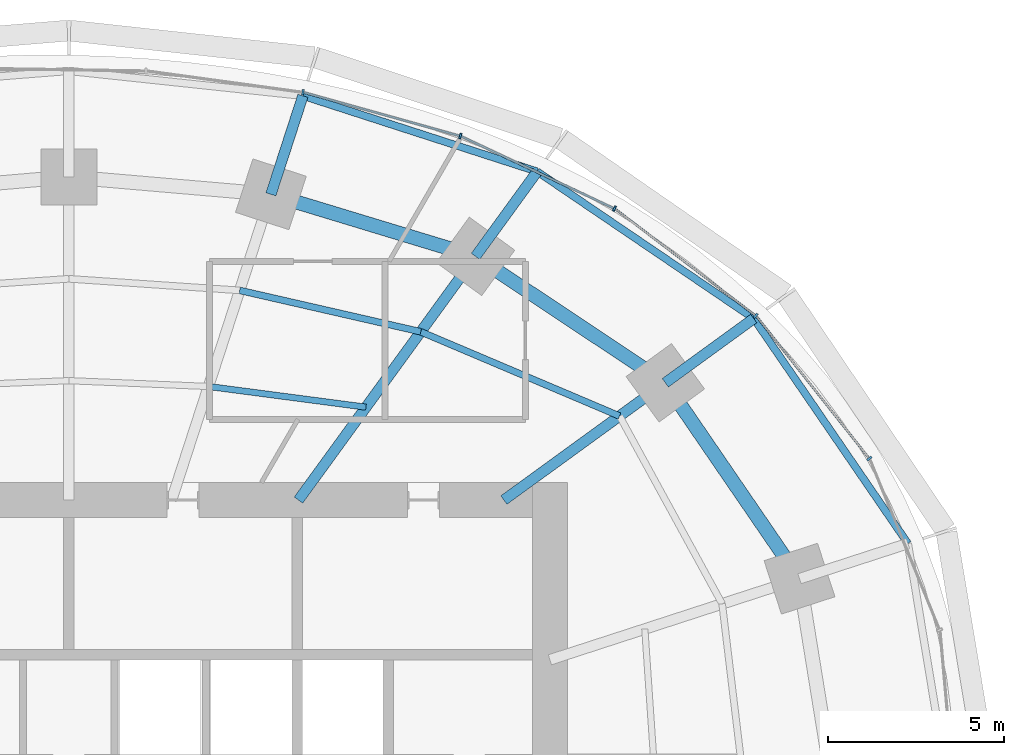
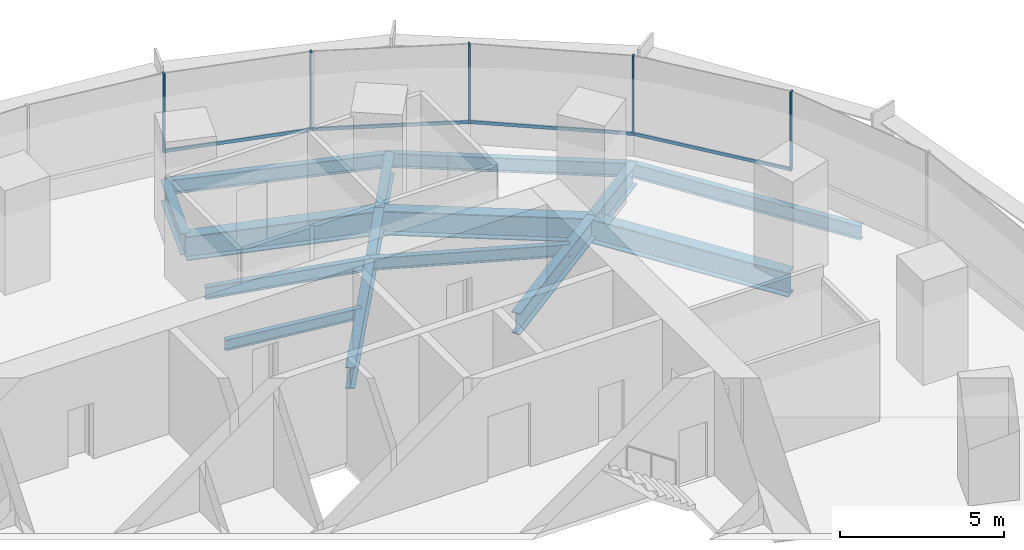
# One storey, part 8 of 14: 14 beams, 9 members, 2 elements without a shape of their own.
"""IFC4 building model written with IfcOpenShell, lengths in metres."""

import ifcopenshell
import ifcopenshell.guid

model = None  # the IFC model being written
_history = None  # IfcOwnerHistory: only IFC2X3 demands one
_inside = {}  # id of a spatial element -> (the spatial element, [elements in it])
_under = {}  # id of a project, library or spatial element -> (it, [spatial elements below it])
_declared = {}  # id of a project -> (the project, [libraries it declares])
_typed = {}  # id of a type object -> (the type object, [elements of that type])
_made_of = {}  # id of a material, layer set ... -> (it, [elements and type objects made of it])


def new_model(schema):
    """Start an empty IFC model of exactly this schema.

    Asked for "IFC4X3", IfcOpenShell would pick the latest addendum, in which some entities
    have other attributes; the version numbers below select the first issue.
    IFC2X3 requires an IfcOwnerHistory on every rooted entity: one is made here for all.
    """
    global model, _history
    if schema == "IFC4X3":
        model = ifcopenshell.file(schema_version=(4, 3, 0, 0))
    else:
        model = ifcopenshell.file(schema=schema)
    _inside.clear()
    _under.clear()
    _declared.clear()
    _typed.clear()
    _made_of.clear()
    _history = None
    if model.schema == "IFC2X3":
        org = make("IfcOrganization", Name="unknown")
        user = make(
            "IfcPersonAndOrganization",
            ThePerson=make("IfcPerson", FamilyName="unknown"),
            TheOrganization=org,
        )
        app = make(
            "IfcApplication",
            ApplicationDeveloper=org,
            Version="unknown",
            ApplicationFullName="unknown",
            ApplicationIdentifier="unknown",
        )
        _history = make(
            "IfcOwnerHistory",
            OwningUser=user,
            OwningApplication=app,
            ChangeAction="ADDED",
            CreationDate=0,
        )
    return model


def make(cls, **values):
    """One entity of the class cls with the attributes given. An attribute that is None is left unset."""
    return model.create_entity(
        cls, **{name: value for name, value in values.items() if value is not None}
    )


def rooted(cls, **values):
    """An entity with a GlobalId (a new one), such as an element, a storey or a relation."""
    return make(cls, GlobalId=ifcopenshell.guid.new(), OwnerHistory=_history, **values)


def si_unit(unit_type, name, prefix=None):
    """IfcSIUnit, for example si_unit("LENGTHUNIT", "METRE", prefix="MILLI")."""
    return make("IfcSIUnit", UnitType=unit_type, Prefix=prefix, Name=name)


def assignment(units):
    """IfcUnitAssignment: the units of a project."""
    return None if units is None else make("IfcUnitAssignment", Units=units)


def point(xyz):
    """IfcCartesianPoint."""
    return None if xyz is None else make("IfcCartesianPoint", Coordinates=xyz)


def direction(xyz):
    """IfcDirection."""
    return None if xyz is None else make("IfcDirection", DirectionRatios=xyz)


def frame(location, z_axis=None, x_axis=None):
    """IfcAxis2Placement3D, a coordinate frame: its origin and axes. An axis left out is left unset."""
    return make(
        "IfcAxis2Placement3D",
        Location=point(location),
        Axis=direction(z_axis),
        RefDirection=direction(x_axis),
    )


def frame_2d(location, x_axis=None):
    """IfcAxis2Placement2D, a coordinate frame in the plane: its origin and x axis."""
    return make(
        "IfcAxis2Placement2D", Location=point(location), RefDirection=direction(x_axis)
    )


def origin():
    """The frame at (0, 0, 0) with its axes left unset."""
    return frame((0.0, 0.0, 0.0))


def origin_2d():
    """The frame at (0, 0) in the plane with its x axis left unset."""
    return frame_2d((0.0, 0.0))


def place(relative_to, where):
    """IfcLocalPlacement: puts the frame where relative to a parent placement (None: the world)."""
    return make(
        "IfcLocalPlacement", PlacementRelTo=relative_to, RelativePlacement=where
    )


def context(
    kind, dimensions, precision=None, world=None, true_north=None, identifier=None
):
    """IfcGeometricRepresentationContext, for example the 3D "Model" context."""
    return make(
        "IfcGeometricRepresentationContext",
        ContextIdentifier=identifier,
        ContextType=kind,
        CoordinateSpaceDimension=dimensions,
        Precision=precision,
        WorldCoordinateSystem=world,
        TrueNorth=true_north,
    )


def subcontext(parent, identifier, kind, view, scale=None):
    """IfcGeometricRepresentationSubContext, for example "Body" below "Model"."""
    return make(
        "IfcGeometricRepresentationSubContext",
        ContextIdentifier=identifier,
        ContextType=kind,
        ParentContext=parent,
        TargetScale=scale,
        TargetView=view,
    )


def project(units=None, contexts=None):
    """IfcProject with its units and contexts."""
    return rooted(
        "IfcProject",
        Name="project",
        RepresentationContexts=contexts,
        UnitsInContext=assignment(units),
    )


def spatial(cls, under=None, at=None, **own):
    """A site, building, storey or space (cls), placed at a placement, below another one or the project."""
    s = rooted(cls, ObjectPlacement=at, **own)
    if under is not None:
        _under.setdefault(under.id(), (under, []))[1].append(s)
    return s


def profile(cls, at=None, kind="AREA", **sizes):
    """A parametric profile (cls). Its sizes go by their IFC names, for example OverallWidth=200.0."""
    return make(cls, ProfileType=kind, Position=at, **sizes)


def rectangle(**sizes):
    """IfcRectangleProfileDef."""
    return profile("IfcRectangleProfileDef", **sizes)


def i_section(**sizes):
    """IfcIShapeProfileDef."""
    return profile("IfcIShapeProfileDef", **sizes)


def extrude(swept, where, along, depth):
    """IfcExtrudedAreaSolid: the profile swept, set in the frame where, extruded along a direction by depth."""
    return make(
        "IfcExtrudedAreaSolid",
        SweptArea=swept,
        Position=where,
        ExtrudedDirection=direction(along),
        Depth=depth,
    )


def shape(context_of_items, identifier, shape_type, items):
    """IfcShapeRepresentation: the items that make up one representation, for example the "Body"."""
    return make(
        "IfcShapeRepresentation",
        ContextOfItems=context_of_items,
        RepresentationIdentifier=identifier,
        RepresentationType=shape_type,
        Items=items,
    )


def material(Name=None, Category=None):
    """IfcMaterial."""
    return make("IfcMaterial", Name=Name, Category=Category)


def material_profile(
    of_material, cross_section, Name=None, Category=None, Priority=None
):
    """IfcMaterialProfile: a cross section and its material."""
    return make(
        "IfcMaterialProfile",
        Name=Name,
        Material=of_material,
        Profile=cross_section,
        Priority=Priority,
        Category=Category,
    )


def profile_set(profiles, Name=None, composite=None):
    """IfcMaterialProfileSet."""
    return make(
        "IfcMaterialProfileSet",
        Name=Name,
        MaterialProfiles=profiles,
        CompositeProfile=composite,
    )


def made_of(thing, what):
    """Note that an element or type object is made of a material, layer set ...; save() writes the relation."""
    if what is not None:
        _made_of.setdefault(what.id(), (what, []))[1].append(thing)
    return thing


def type_object(cls, material=None, **own):
    """A type object (cls), such as IfcWallType, which elements share."""
    return made_of(rooted(cls, **own), material)


def element(
    cls,
    number,
    at=None,
    inside=None,
    cuts=None,
    type_object=None,
    material=None,
    context=None,
    identifier="Body",
    shape_type=None,
    held_by="IfcProductDefinitionShape",
    body=None,
    shapes=None,
    **own,
):
    """One element of the class cls, such as IfcWall. Its Tag is "e" and its number.

    at: its placement. inside: the storey or other place that contains it. cuts: it is an
    opening in that element (IfcRelVoidsElement). A single representation is given by context,
    identifier, shape_type and body (its items); several are given by shapes. held_by: the class
    of the entity that holds the representations. save() writes the other relations.
    """
    e = rooted(cls, Tag="e%d" % number, ObjectPlacement=at, **own)
    if body is not None:
        shapes = [shape(context, identifier, shape_type, body)]
    if shapes is not None:
        e.Representation = make(held_by, Representations=shapes)
    if inside is not None:
        _inside.setdefault(inside.id(), (inside, []))[1].append(e)
    if cuts is not None:
        rooted(
            "IfcRelVoidsElement", RelatingBuildingElement=cuts, RelatedOpeningElement=e
        )
    if type_object is not None:
        _typed.setdefault(type_object.id(), (type_object, []))[1].append(e)
    return made_of(e, material)


def aggregate(whole, parts):
    """IfcRelAggregates: a whole, such as a stair, and the parts it consists of."""
    return rooted("IfcRelAggregates", RelatingObject=whole, RelatedObjects=parts)


def save(model, path):
    """Write the relations noted so far, then the file.

    IfcRelAggregates (storeys below a building ...), IfcRelContainedInSpatialStructure (elements
    in a storey), IfcRelDefinesByType, IfcRelAssociatesMaterial and IfcRelDeclares: one each for
    every whole, place, type object, material and project.
    """
    for whole, parts in _under.values():
        aggregate(whole, parts)
    for where, things in _inside.values():
        rooted(
            "IfcRelContainedInSpatialStructure",
            RelatedElements=things,
            RelatingStructure=where,
        )
    for kind, things in _typed.values():
        rooted("IfcRelDefinesByType", RelatedObjects=things, RelatingType=kind)
    for what, things in _made_of.values():
        rooted("IfcRelAssociatesMaterial", RelatedObjects=things, RelatingMaterial=what)
    for by, libraries in _declared.values():
        rooted("IfcRelDeclares", RelatingContext=by, RelatedDefinitions=libraries)
    model.write(path)


model = new_model("IFC4")

# Units and contexts
model_context = context("Model", 3, precision=1e-05, world=origin(), true_north=direction((0.0, 1.0)))
body_context = subcontext(model_context, "Body", "Model", "MODEL_VIEW")
ifc_project = project(units=[si_unit("LENGTHUNIT", "METRE"), si_unit("AREAUNIT", "SQUARE_METRE"), si_unit("VOLUMEUNIT", "CUBIC_METRE"), si_unit("PLANEANGLEUNIT", "RADIAN"), si_unit("MASSUNIT", "GRAM", prefix="KILO")], contexts=[model_context])

# Site, building, storey
site_placement = place(None, origin())
site = spatial("IfcSite", under=ifc_project, at=site_placement, CompositionType="ELEMENT")
building_placement = place(site_placement, origin())
building = spatial("IfcBuilding", under=site, at=building_placement, Name="Marramba Exchange Tower", CompositionType="ELEMENT")
storey_placement = place(building_placement, frame((0.0, 0.0, 135.300048828125)))
storey = spatial("IfcBuildingStorey", under=building, at=storey_placement, Name="L32", CompositionType="ELEMENT", Elevation=135.300048828125)

# Beams
ifc_material_1 = material(Name="Steel AS/NZS 3679.2 grade 300", Category="steel")
ifc_material_profile_1 = material_profile(ifc_material_1, i_section(OverallWidth=0.300048828125, OverallDepth=0.800048828125, WebThickness=0.013916015625, FlangeThickness=0.031982421875, at=origin_2d()), Name="800WB192")
ifc_profile_set_1 = profile_set([ifc_material_profile_1], Name="Steel AS/NZS 3679.2 grade 300")
beam_type_1 = type_object("IfcBeamType", Name="Cantilever girder 800WB192", PredefinedType="BEAM", material=ifc_profile_set_1)
beam_1_placement = place(storey_placement, frame((16.98583984375, 12.3408203125, -0.56005859375), z_axis=(0.809013970709, 0.58778941399, 0.0), x_axis=(-0.58778941399, 0.809013970709, 0.0)))
element("IfcBeam", 1, at=beam_1_placement, inside=storey, type_object=beam_type_1, Name="Cantilever girder L32 TC03", PredefinedType="BEAM", context=body_context, shape_type="SweptSolid", body=[
    extrude(i_section(OverallWidth=0.300048828125, OverallDepth=0.800048828125, WebThickness=0.013916015625, FlangeThickness=0.031982421875, at=origin_2d()), origin(), (0.0, 0.0, 1.0), 3.1142578125),
])
beam_2_placement = place(storey_placement, frame((11.581298828125, 15.9404296875, -0.56005859375), z_axis=(0.587821738214, 0.808990484544, 0.0), x_axis=(-0.808990484544, 0.587821738214, 0.0)))
element("IfcBeam", 2, at=beam_2_placement, inside=storey, type_object=beam_type_1, Name="Cantilever girder L32 TC04", PredefinedType="BEAM", context=body_context, shape_type="SweptSolid", body=[
    extrude(i_section(OverallWidth=0.300048828125, OverallDepth=0.800048828125, WebThickness=0.013916015625, FlangeThickness=0.031982421875, at=origin_2d()), origin(), (0.0, 0.0, 1.0), 2.987060546875),
])
beam_3_placement = place(storey_placement, frame((5.75390625, 17.70849609375, -0.56005859375), z_axis=(0.309018704887, 0.951055960514, 0.0), x_axis=(-0.951055960514, 0.309018704887, 0.0)))
element("IfcBeam", 3, at=beam_3_placement, inside=storey, type_object=beam_type_1, Name="Cantilever girder L32 TC05", PredefinedType="BEAM", context=body_context, shape_type="SweptSolid", body=[
    extrude(i_section(OverallWidth=0.300048828125, OverallDepth=0.800048828125, WebThickness=0.013916015625, FlangeThickness=0.031982421875, at=origin_2d()), origin(), (0.0, 0.0, 1.0), 2.949951171875),
])
ifc_material_2 = material(Name="Steel AS/NZS 3679.1 grade 300", Category="steel")
ifc_material_profile_2 = material_profile(ifc_material_2, i_section(OverallWidth=0.177978515625, OverallDepth=0.406005859375, WebThickness=0.0078125, FlangeThickness=0.0126953125, FilletRadius=0.011474609375, at=origin_2d()), Name="410UB59.7")
ifc_profile_set_2 = profile_set([ifc_material_profile_2], Name="Steel AS/NZS 3679.1 grade 300")
beam_type_2 = type_object("IfcBeamType", Name="Floor joist 410UB59.7", PredefinedType="JOIST", material=ifc_profile_set_2)
beam_4_placement = place(storey_placement, frame((8.4619140625, 11.646728515625, -0.363037109375), z_axis=(-0.991480538255, 0.130254912618, 0.0), x_axis=(-0.130254912618, -0.991480538255, 0.0)))
element("IfcBeam", 4, at=beam_4_placement, inside=storey, type_object=beam_type_2, Name="Joist L32 bay 04 row 1", PredefinedType="JOIST", context=body_context, shape_type="SweptSolid", body=[
    extrude(i_section(OverallWidth=0.177978515625, OverallDepth=0.406005859375, WebThickness=0.0078125, FlangeThickness=0.0126953125, FilletRadius=0.011474609375, at=origin_2d()), origin(), (0.0, 0.0, 1.0), 4.524658203125),
])
ifc_material_profile_3 = material_profile(ifc_material_2, i_section(OverallWidth=0.18994140625, OverallDepth=0.4541015625, WebThickness=0.008544921875, FlangeThickness=0.0126953125, FilletRadius=0.011474609375, at=origin_2d()), Name="460UB67.1")
ifc_profile_set_3 = profile_set([ifc_material_profile_3], Name="Steel AS/NZS 3679.1 grade 300")
beam_type_3 = type_object("IfcBeamType", Name="Floor joist 460UB67.1", PredefinedType="JOIST", material=ifc_profile_set_3)
beam_5_placement = place(storey_placement, frame((15.682373046875, 11.393798828125, -0.386962890625), z_axis=(-0.920674336375, 0.390331610738, 0.0), x_axis=(-0.390331610738, -0.920674336375, 0.0)))
element("IfcBeam", 5, at=beam_5_placement, inside=storey, type_object=beam_type_3, Name="Joist L32 bay 03 row 2", PredefinedType="JOIST", context=body_context, shape_type="SweptSolid", body=[
    extrude(i_section(OverallWidth=0.18994140625, OverallDepth=0.4541015625, WebThickness=0.008544921875, FlangeThickness=0.0126953125, FilletRadius=0.011474609375, at=origin_2d()), origin(), (0.0, 0.0, 1.0), 6.1484375),
])
beam_6_placement = place(storey_placement, frame((10.021728515625, 13.793701171875, -0.386962890625), z_axis=(-0.974859652292, 0.222819788916, 0.0), x_axis=(-0.222819788916, -0.974859652292, 0.0)))
element("IfcBeam", 6, at=beam_6_placement, inside=storey, type_object=beam_type_3, Name="Joist L32 bay 04 row 2", PredefinedType="JOIST", context=body_context, shape_type="SweptSolid", body=[
    extrude(i_section(OverallWidth=0.18994140625, OverallDepth=0.4541015625, WebThickness=0.008544921875, FlangeThickness=0.0126953125, FilletRadius=0.011474609375, at=origin_2d()), origin(), (0.0, 0.0, 1.0), 5.2900390625),
])

# Curtain wall, members
ifc_material_3 = material(Name="Aluminium framing, bronze anodised", Category="aluminium")
curtain_wall_type = type_object("IfcCurtainWallType", Name="Office ribbon curtain wall", PredefinedType="USERDEFINED", material=ifc_material_3)
curtain_wall_1_placement = place(storey_placement, origin())
curtain_wall_1 = element("IfcCurtainWall", 7, at=curtain_wall_1_placement, inside=storey, type_object=curtain_wall_type, Name="Curtain wall CW4 L32 F01-F05", ObjectType="RIBBON CURTAIN WALL", PredefinedType="USERDEFINED")
ifc_material_4 = material(Name="Aluminium mullion, bronze anodised", Category="aluminium")
ifc_material_profile_4 = material_profile(ifc_material_4, rectangle(XDim=0.159912109375, YDim=0.06005859375, at=origin_2d()), Name="CW4 mullion 60x160")
ifc_profile_set_4 = profile_set([ifc_material_profile_4], Name="Aluminium mullion, bronze anodised")
member_type_1 = type_object("IfcMemberType", Name="Office ribbon curtain wall mullion", PredefinedType="MULLION", material=ifc_profile_set_4)
member_1_placement = place(storey_placement, frame((22.796630859375, 10.181640625, 0.800048828125), z_axis=(0.0, 0.0, 1.0), x_axis=(-0.783563266703, -0.621312004611, 0.0)))
member_1 = element("IfcMember", 8, at=member_1_placement, type_object=member_type_1, Name="CW4 mullion 1", PredefinedType="MULLION", context=body_context, shape_type="SweptSolid", body=[
    extrude(rectangle(XDim=0.159912109375, YDim=0.06005859375, at=origin_2d()), origin(), (0.0, 0.0, 1.0), 2.93994140625),
])
member_2_placement = place(storey_placement, frame((19.5625, 14.24853515625, 0.800048828125), z_axis=(0.0, 0.0, 1.0), x_axis=(-0.60533377223, -0.795971748366, 0.0)))
member_2 = element("IfcMember", 9, at=member_2_placement, type_object=member_type_1, Name="CW4 mullion 1", PredefinedType="MULLION", context=body_context, shape_type="SweptSolid", body=[
    extrude(rectangle(XDim=0.159912109375, YDim=0.06005859375, at=origin_2d()), origin(), (0.0, 0.0, 1.0), 2.93994140625),
])
member_3_placement = place(storey_placement, frame((15.538818359375, 17.300537109375, 0.800048828125), z_axis=(0.0, 0.0, 1.0), x_axis=(-0.426678995157, -0.904403137485, 0.0)))
member_3 = element("IfcMember", 10, at=member_3_placement, type_object=member_type_1, Name="CW4 mullion 1", PredefinedType="MULLION", context=body_context, shape_type="SweptSolid", body=[
    extrude(rectangle(XDim=0.159912109375, YDim=0.06005859375, at=origin_2d()), origin(), (0.0, 0.0, 1.0), 2.93994140625),
])

curtain_wall_2_placement = place(storey_placement, origin())
curtain_wall_2 = element("IfcCurtainWall", 11, at=curtain_wall_2_placement, inside=storey, type_object=curtain_wall_type, Name="Curtain wall CW4 L32 F06-F10", ObjectType="RIBBON CURTAIN WALL", PredefinedType="USERDEFINED")
member_4_placement = place(storey_placement, frame((11.147705078125, 19.366455078125, 0.800048828125), z_axis=(0.0, 0.0, 1.0), x_axis=(-0.268865090816, -0.963177845956, 0.0)))
member_4 = element("IfcMember", 12, at=member_4_placement, type_object=member_type_1, Name="CW4 mullion 1", PredefinedType="MULLION", context=body_context, shape_type="SweptSolid", body=[
    extrude(rectangle(XDim=0.159912109375, YDim=0.06005859375, at=origin_2d()), origin(), (0.0, 0.0, 1.0), 2.93994140625),
])
member_5_placement = place(storey_placement, frame((6.66650390625, 20.61328125, 0.800048828125), z_axis=(0.0, 0.0, 1.0), x_axis=(-0.135785837319, -0.990738212841, 0.0)))
member_5 = element("IfcMember", 13, at=member_5_placement, type_object=member_type_1, Name="CW4 mullion 1", PredefinedType="MULLION", context=body_context, shape_type="SweptSolid", body=[
    extrude(rectangle(XDim=0.159912109375, YDim=0.06005859375, at=origin_2d()), origin(), (0.0, 0.0, 1.0), 2.93994140625),
])

# Member
ifc_material_5 = material(Name="Aluminium transom, bronze anodised", Category="aluminium")
ifc_material_profile_5 = material_profile(ifc_material_5, rectangle(XDim=0.06005859375, YDim=0.1201171875, at=origin_2d()), Name="CW4 transom 60x120")
ifc_profile_set_5 = profile_set([ifc_material_profile_5], Name="Aluminium transom, bronze anodised")
member_type_2 = type_object("IfcMemberType", Name="Office ribbon curtain wall transom", PredefinedType="USERDEFINED", material=ifc_profile_set_5)
member_6_placement = place(storey_placement, frame((22.778076171875, 10.205078125, 0.829833984375), z_axis=(-0.621339379472, 0.783541559534, 0.0), x_axis=(-0.783541559534, -0.621339379472, 0.0)))
member_6 = element("IfcMember", 14, at=member_6_placement, type_object=member_type_2, Name="CW4 sill transom", ObjectType="TRANSOM", PredefinedType="USERDEFINED", context=body_context, shape_type="SweptSolid", body=[
    extrude(rectangle(XDim=0.06005859375, YDim=0.1201171875, at=origin_2d()), origin(), (0.0, 0.0, 1.0), 5.13720703125),
])

member_7_placement = place(storey_placement, frame((19.53857421875, 14.2666015625, 0.829833984375), z_axis=(-0.7959906025, 0.605308979556, 0.0), x_axis=(-0.605308979556, -0.7959906025, 0.0)))
member_7 = element("IfcMember", 15, at=member_7_placement, type_object=member_type_2, Name="CW4 sill transom", ObjectType="TRANSOM", PredefinedType="USERDEFINED", context=body_context, shape_type="SweptSolid", body=[
    extrude(rectangle(XDim=0.06005859375, YDim=0.1201171875, at=origin_2d()), origin(), (0.0, 0.0, 1.0), 4.99072265625),
])

member_8_placement = place(storey_placement, frame((15.51171875, 17.313232421875, 0.829833984375), z_axis=(-0.904410826824, 0.426662696193, 0.0), x_axis=(-0.426662696193, -0.904410826824, 0.0)))
member_8 = element("IfcMember", 16, at=member_8_placement, type_object=member_type_2, Name="CW4 sill transom", ObjectType="TRANSOM", PredefinedType="USERDEFINED", context=body_context, shape_type="SweptSolid", body=[
    extrude(rectangle(XDim=0.06005859375, YDim=0.1201171875, at=origin_2d()), origin(), (0.0, 0.0, 1.0), 4.79345703125),
])

aggregate(curtain_wall_1, [member_1, member_6, member_2, member_7, member_3, member_8])

member_9_placement = place(storey_placement, frame((11.118896484375, 19.37451171875, 0.829833984375), z_axis=(-0.963173567938, 0.268880415847, 0.0), x_axis=(-0.268880415847, -0.963173567938, 0.0)))
member_9 = element("IfcMember", 17, at=member_9_placement, type_object=member_type_2, Name="CW4 sill transom", ObjectType="TRANSOM", PredefinedType="USERDEFINED", context=body_context, shape_type="SweptSolid", body=[
    extrude(rectangle(XDim=0.06005859375, YDim=0.1201171875, at=origin_2d()), origin(), (0.0, 0.0, 1.0), 4.591796875),
])

aggregate(curtain_wall_2, [member_4, member_9, member_5])

# Beams
ifc_material_profile_6 = material_profile(ifc_material_1, i_section(OverallWidth=0.300048828125, OverallDepth=0.800048828125, WebThickness=0.013916015625, FlangeThickness=0.031982421875, at=origin_2d()), Name="800WB192")
ifc_profile_set_6 = profile_set([ifc_material_profile_6], Name="Steel AS/NZS 3679.2 grade 300")
beam_type_4 = type_object("IfcBeamType", Name="Radial girder 800WB192", PredefinedType="BEAM", material=ifc_profile_set_6)
beam_7_placement = place(storey_placement, frame((12.387451171875, 9.0, -0.56005859375), z_axis=(0.809025746925, 0.587773205252, 0.0), x_axis=(-0.587773205252, 0.809025746925, 0.0)))
element("IfcBeam", 18, at=beam_7_placement, inside=storey, type_object=beam_type_4, Name="Radial girder L32 TC03", PredefinedType="BEAM", context=body_context, shape_type="SweptSolid", body=[
    extrude(i_section(OverallWidth=0.300048828125, OverallDepth=0.800048828125, WebThickness=0.013916015625, FlangeThickness=0.031982421875, at=origin_2d()), origin(), (0.0, 0.0, 1.0), 5.683837890625),
])
beam_8_placement = place(storey_placement, frame((6.538818359375, 9.0, -0.56005859375), z_axis=(0.587782439969, 0.80901903764, 0.0), x_axis=(-0.80901903764, 0.587782439969, 0.0)))
element("IfcBeam", 19, at=beam_8_placement, inside=storey, type_object=beam_type_4, Name="Radial girder L32 TC04", PredefinedType="BEAM", context=body_context, shape_type="SweptSolid", body=[
    extrude(i_section(OverallWidth=0.300048828125, OverallDepth=0.800048828125, WebThickness=0.013916015625, FlangeThickness=0.031982421875, at=origin_2d()), origin(), (0.0, 0.0, 1.0), 8.578857421875),
])
ifc_material_profile_7 = material_profile(ifc_material_1, i_section(OverallWidth=0.39990234375, OverallDepth=0.89990234375, WebThickness=0.01611328125, FlangeThickness=0.031982421875, at=origin_2d()), Name="900WB282")
ifc_profile_set_7 = profile_set([ifc_material_profile_7], Name="Steel AS/NZS 3679.2 grade 300")
beam_type_5 = type_object("IfcBeamType", Name="Ring beam 900WB282", PredefinedType="SPANDREL", material=ifc_profile_set_7)
beam_9_placement = place(storey_placement, frame((20.808349609375, 6.760986328125, -0.610107421875), z_axis=(-0.56516002054, 0.824981303535, 0.0), x_axis=(-0.824981303535, -0.56516002054, 0.0)))
element("IfcBeam", 20, at=beam_9_placement, inside=storey, type_object=beam_type_5, Name="Ring beam L32 TC02-TC03", PredefinedType="SPANDREL", context=body_context, shape_type="SweptSolid", body=[
    extrude(i_section(OverallWidth=0.39990234375, OverallDepth=0.89990234375, WebThickness=0.01611328125, FlangeThickness=0.031982421875, at=origin_2d()), origin(), (0.0, 0.0, 1.0), 6.763671875),
])
beam_10_placement = place(storey_placement, frame((16.98583984375, 12.3408203125, -0.610107421875), z_axis=(-0.832293151443, 0.554335737673, 0.0), x_axis=(-0.554335737673, -0.832293151443, 0.0)))
element("IfcBeam", 21, at=beam_10_placement, inside=storey, type_object=beam_type_5, Name="Ring beam L32 TC03-TC04", PredefinedType="SPANDREL", context=body_context, shape_type="SweptSolid", body=[
    extrude(i_section(OverallWidth=0.39990234375, OverallDepth=0.89990234375, WebThickness=0.01611328125, FlangeThickness=0.031982421875, at=origin_2d()), origin(), (0.0, 0.0, 1.0), 6.49365234375),
])
beam_11_placement = place(storey_placement, frame((11.581298828125, 15.9404296875, -0.610107421875), z_axis=(-0.956924542524, 0.290336735387, 0.0), x_axis=(-0.290336735387, -0.956924542524, 0.0)))
element("IfcBeam", 22, at=beam_11_placement, inside=storey, type_object=beam_type_5, Name="Ring beam L32 TC04-TC05", PredefinedType="SPANDREL", context=body_context, shape_type="SweptSolid", body=[
    extrude(i_section(OverallWidth=0.39990234375, OverallDepth=0.89990234375, WebThickness=0.01611328125, FlangeThickness=0.031982421875, at=origin_2d()), origin(), (0.0, 0.0, 1.0), 6.089599609375),
])
ifc_material_profile_8 = material_profile(ifc_material_2, i_section(OverallWidth=0.208984375, OverallDepth=0.528076171875, WebThickness=0.009521484375, FlangeThickness=0.01318359375, FilletRadius=0.013916015625, at=origin_2d()), Name="530UB82.0")
ifc_profile_set_8 = profile_set([ifc_material_profile_8], Name="Steel AS/NZS 3679.1 grade 300")
beam_type_6 = type_object("IfcBeamType", Name="Slab edge beam 530UB82.0", PredefinedType="SPANDREL", material=ifc_profile_set_8)
beam_12_placement = place(storey_placement, frame((23.89501953125, 7.763916015625, -0.424072265625), z_axis=(-0.56517400038, 0.824971726361, 0.0), x_axis=(-0.824971726361, -0.56517400038, 0.0)))
element("IfcBeam", 23, at=beam_12_placement, inside=storey, type_object=beam_type_6, Name="Slab edge beam L32 TC02-TC03", PredefinedType="SPANDREL", context=body_context, shape_type="SweptSolid", body=[
    extrude(i_section(OverallWidth=0.208984375, OverallDepth=0.528076171875, WebThickness=0.009521484375, FlangeThickness=0.01318359375, FilletRadius=0.013916015625, at=origin_2d()), origin(), (0.0, 0.0, 1.0), 7.766845703125),
])
beam_13_placement = place(storey_placement, frame((19.50537109375, 14.17138671875, -0.424072265625), z_axis=(-0.827477404833, 0.561499015574, 0.0), x_axis=(-0.561499015574, -0.827477404833, 0.0)))
element("IfcBeam", 24, at=beam_13_placement, inside=storey, type_object=beam_type_6, Name="Slab edge beam L32 TC03-TC04", PredefinedType="SPANDREL", context=body_context, shape_type="SweptSolid", body=[
    extrude(i_section(OverallWidth=0.208984375, OverallDepth=0.528076171875, WebThickness=0.009521484375, FlangeThickness=0.01318359375, FilletRadius=0.013916015625, at=origin_2d()), origin(), (0.0, 0.0, 1.0), 7.454345703125),
])
beam_14_placement = place(storey_placement, frame((13.337158203125, 18.35693359375, -0.424072265625), z_axis=(-0.951496392577, 0.307659901373, 0.0), x_axis=(-0.307659901373, -0.951496392577, 0.0)))
element("IfcBeam", 25, at=beam_14_placement, inside=storey, type_object=beam_type_6, Name="Slab edge beam L32 TC04-TC05", PredefinedType="SPANDREL", context=body_context, shape_type="SweptSolid", body=[
    extrude(i_section(OverallWidth=0.208984375, OverallDepth=0.528076171875, WebThickness=0.009521484375, FlangeThickness=0.01318359375, FilletRadius=0.013916015625, at=origin_2d()), origin(), (0.0, 0.0, 1.0), 7.01171875),
])

save(model, "model.ifc")
